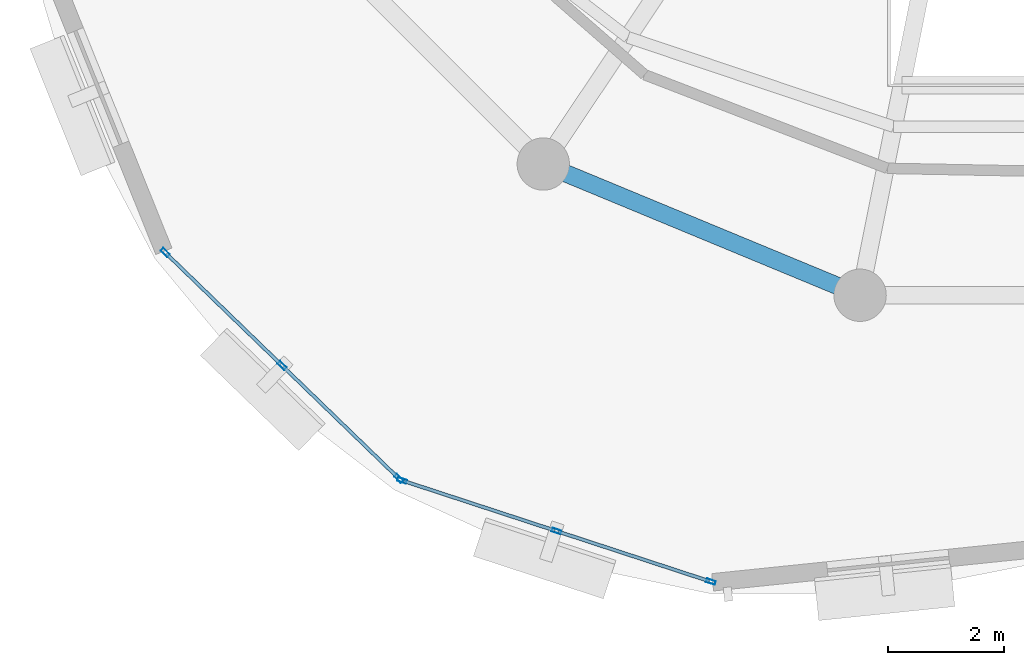
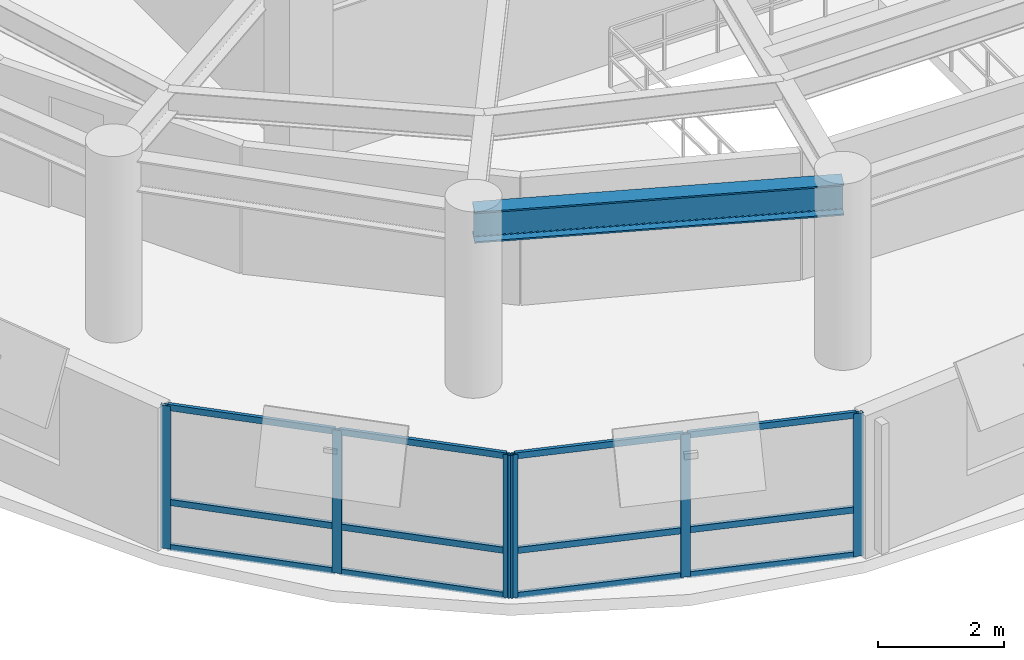
# One storey, part 2 of 11: 18 members, 1 beam, 2 elements without a shape of their own.
"""IFC4 building model written with IfcOpenShell, lengths in metres."""

from ifc_helpers import new_model, si_unit, direction, frame, origin, origin_2d, place, context, subcontext, project, spatial, hollow_rectangle, i_section, extrude, material, layer, layer_set, material_profile, profile_set, type_object, element, aggregate, save


model = new_model("IFC4")

# Units and contexts
model_context = context("Model", 3, precision=1e-05, world=origin(), true_north=direction((0.0, 1.0)))
body_context = subcontext(model_context, "Body", "Model", "MODEL_VIEW")
ifc_project = project(units=[si_unit("LENGTHUNIT", "METRE"), si_unit("AREAUNIT", "SQUARE_METRE"), si_unit("VOLUMEUNIT", "CUBIC_METRE"), si_unit("PLANEANGLEUNIT", "RADIAN"), si_unit("MASSUNIT", "GRAM", prefix="KILO"), si_unit("THERMODYNAMICTEMPERATUREUNIT", "KELVIN"), si_unit("POWERUNIT", "WATT")], contexts=[model_context])

# Site, building, storey
site_placement = place(None, origin())
site = spatial("IfcSite", under=ifc_project, at=site_placement, CompositionType="ELEMENT")
building_placement = place(site_placement, origin())
building = spatial("IfcBuilding", under=site, at=building_placement, Name="Ocrelia Relay Tower", CompositionType="ELEMENT")
storey_placement = place(building_placement, frame((0.0, 0.0, 273.60009765625)))
storey = spatial("IfcBuildingStorey", under=building, at=storey_placement, Name="L68", CompositionType="ELEMENT", Elevation=273.60009765625)

# Beam
ifc_material_1 = material(Name="Steel S355", Category="steel")
ifc_material_profile_1 = material_profile(ifc_material_1, i_section(OverallWidth=0.300048828125, OverallDepth=0.60009765625, WebThickness=0.015380859375, FlangeThickness=0.030029296875, FilletRadius=0.027099609375, at=origin_2d()), Name="HEB 600")
ifc_profile_set_1 = profile_set([ifc_material_profile_1], Name="Steel S355")
beam_type = type_object("IfcBeamType", Name="BM-HEB600", PredefinedType="BEAM", material=ifc_profile_set_1)
beam_placement = place(storey_placement, frame((25.61083984375, 13.44482421875, 3.079833984375), z_axis=(0.923884009374, -0.382672624084, 0.0), x_axis=(0.382672624084, 0.923884009374, 0.0)))
element("IfcBeam", 1, at=beam_placement, inside=storey, type_object=beam_type, Name="L68 Perimeter Spandrel Beam S11", PredefinedType="BEAM", context=body_context, shape_type="SweptSolid", body=[
    extrude(i_section(OverallWidth=0.300048828125, OverallDepth=0.60009765625, WebThickness=0.015380859375, FlangeThickness=0.030029296875, FilletRadius=0.027099609375, at=origin_2d()), origin(), (0.0, 0.0, 1.0), 5.891845703125),
])

# Curtain wall, members
ifc_material_2 = material(Name="Aluminium and solar-control low-E glass", Category="aluminium")
ifc_layer = layer(ifc_material_2, 0.179931640625, Name="Aluminium and solar-control low-E glass")
ifc_layer_set = layer_set([ifc_layer], Name="Aluminium and solar-control low-E glass")
curtain_wall_type = type_object("IfcCurtainWallType", Name="CW-SYS-Z4-EXEC", PredefinedType="NOTDEFINED", material=ifc_layer_set)
curtain_wall_1_placement = place(storey_placement, origin())
curtain_wall_1 = element("IfcCurtainWall", 2, at=curtain_wall_1_placement, inside=storey, type_object=curtain_wall_type, Name="L68 Elliptical Tower Curtain Wall Bay 09", PredefinedType="NOTDEFINED")
ifc_material_3 = material(Name="Anodised bronze aluminium", Category="aluminium")
ifc_material_profile_2 = material_profile(ifc_material_3, hollow_rectangle(XDim=0.06494140625, YDim=0.159912109375, WallThickness=0.0048828125, at=origin_2d()), Name="CW-MUL-160x65")
ifc_profile_set_2 = profile_set([ifc_material_profile_2], Name="Anodised bronze aluminium")
member_type_1 = type_object("IfcMemberType", Name="CW-SYS-Z4-EXEC-MUL", PredefinedType="MULLION", material=ifc_profile_set_2)
member_1_placement = place(storey_placement, frame((19.115234375, 11.924560546875, 0.0), z_axis=(0.0, 0.0, 1.0), x_axis=(0.695311454321, 0.718708551146, 0.0)))
member_1 = element("IfcMember", 3, at=member_1_placement, type_object=member_type_1, Name="CW-Z4 mullion 1", PredefinedType="MULLION", context=body_context, shape_type="SweptSolid", body=[
    extrude(hollow_rectangle(XDim=0.06494140625, YDim=0.159912109375, WallThickness=0.0048828125, at=origin_2d()), origin(), (0.0, 0.0, 1.0), 2.760009765625),
])
member_2_placement = place(storey_placement, frame((21.122314453125, 9.982666015625, 0.0), z_axis=(0.0, 0.0, 1.0), x_axis=(0.695311454321, 0.718708551146, 0.0)))
member_2 = element("IfcMember", 4, at=member_2_placement, type_object=member_type_1, Name="CW-Z4 mullion 2", PredefinedType="MULLION", context=body_context, shape_type="SweptSolid", body=[
    extrude(hollow_rectangle(XDim=0.06494140625, YDim=0.159912109375, WallThickness=0.0048828125, at=origin_2d()), origin(), (0.0, 0.0, 1.0), 2.760009765625),
])
member_3_placement = place(storey_placement, frame((23.12939453125, 8.041015625, 0.0), z_axis=(0.0, 0.0, 1.0), x_axis=(0.695311454321, 0.718708551146, 0.0)))
member_3 = element("IfcMember", 5, at=member_3_placement, type_object=member_type_1, Name="CW-Z4 mullion 3", PredefinedType="MULLION", context=body_context, shape_type="SweptSolid", body=[
    extrude(hollow_rectangle(XDim=0.06494140625, YDim=0.159912109375, WallThickness=0.0048828125, at=origin_2d()), origin(), (0.0, 0.0, 1.0), 2.760009765625),
])

curtain_wall_2_placement = place(storey_placement, origin())
curtain_wall_2 = element("IfcCurtainWall", 6, at=curtain_wall_2_placement, inside=storey, type_object=curtain_wall_type, Name="L68 Elliptical Tower Curtain Wall Bay 10", PredefinedType="NOTDEFINED")
member_4_placement = place(storey_placement, frame((23.18359375, 8.00830078125, 0.0), z_axis=(0.0, 0.0, 1.0), x_axis=(0.311471813957, 0.950255391519, 0.0)))
member_4 = element("IfcMember", 7, at=member_4_placement, type_object=member_type_1, Name="CW-Z4 mullion 1", PredefinedType="MULLION", context=body_context, shape_type="SweptSolid", body=[
    extrude(hollow_rectangle(XDim=0.06494140625, YDim=0.159912109375, WallThickness=0.0048828125, at=origin_2d()), origin(), (0.0, 0.0, 1.0), 2.760009765625),
])
member_5_placement = place(storey_placement, frame((25.83740234375, 7.138427734375, 0.0), z_axis=(0.0, 0.0, 1.0), x_axis=(0.311471813957, 0.950255391519, 0.0)))
member_5 = element("IfcMember", 8, at=member_5_placement, type_object=member_type_1, Name="CW-Z4 mullion 2", PredefinedType="MULLION", context=body_context, shape_type="SweptSolid", body=[
    extrude(hollow_rectangle(XDim=0.06494140625, YDim=0.159912109375, WallThickness=0.0048828125, at=origin_2d()), origin(), (0.0, 0.0, 1.0), 2.760009765625),
])
member_6_placement = place(storey_placement, frame((28.4912109375, 6.2685546875, 0.0), z_axis=(0.0, 0.0, 1.0), x_axis=(0.311471813957, 0.950255391519, 0.0)))
member_6 = element("IfcMember", 9, at=member_6_placement, type_object=member_type_1, Name="CW-Z4 mullion 3", PredefinedType="MULLION", context=body_context, shape_type="SweptSolid", body=[
    extrude(hollow_rectangle(XDim=0.06494140625, YDim=0.159912109375, WallThickness=0.0048828125, at=origin_2d()), origin(), (0.0, 0.0, 1.0), 2.760009765625),
])

# Member
ifc_material_profile_3 = material_profile(ifc_material_3, hollow_rectangle(XDim=0.06005859375, YDim=0.1201171875, WallThickness=0.0048828125, at=origin_2d()), Name="CW-TRN-120x60")
ifc_profile_set_3 = profile_set([ifc_material_profile_3], Name="Anodised bronze aluminium")
member_type_2 = type_object("IfcMemberType", Name="CW-SYS-Z4-EXEC-TRN", PredefinedType="USERDEFINED", material=ifc_profile_set_3)
member_7_placement = place(storey_placement, frame((19.138671875, 11.90185546875, 0.02978515625), z_axis=(0.71869159969, -0.695328975762, 0.0), x_axis=(0.695328975762, 0.71869159969, 0.0)))
member_7 = element("IfcMember", 10, at=member_7_placement, type_object=member_type_2, Name="CW-Z4 transom 1.1", ObjectType="TRANSOM", PredefinedType="USERDEFINED", context=body_context, shape_type="SweptSolid", body=[
    extrude(hollow_rectangle(XDim=0.06005859375, YDim=0.1201171875, WallThickness=0.0048828125, at=origin_2d()), origin(), (0.0, 0.0, 1.0), 2.7275390625),
])

member_8_placement = place(storey_placement, frame((19.138671875, 11.90185546875, 0.89990234375), z_axis=(0.71869159969, -0.695328975762, 0.0), x_axis=(0.695328975762, 0.71869159969, 0.0)))
member_8 = element("IfcMember", 11, at=member_8_placement, type_object=member_type_2, Name="CW-Z4 transom 1.2", ObjectType="TRANSOM", PredefinedType="USERDEFINED", context=body_context, shape_type="SweptSolid", body=[
    extrude(hollow_rectangle(XDim=0.06005859375, YDim=0.1201171875, WallThickness=0.0048828125, at=origin_2d()), origin(), (0.0, 0.0, 1.0), 2.7275390625),
])

member_9_placement = place(storey_placement, frame((19.138671875, 11.90185546875, 2.72998046875), z_axis=(0.71869159969, -0.695328975762, 0.0), x_axis=(0.695328975762, 0.71869159969, 0.0)))
member_9 = element("IfcMember", 12, at=member_9_placement, type_object=member_type_2, Name="CW-Z4 transom 1.3", ObjectType="TRANSOM", PredefinedType="USERDEFINED", context=body_context, shape_type="SweptSolid", body=[
    extrude(hollow_rectangle(XDim=0.06005859375, YDim=0.1201171875, WallThickness=0.0048828125, at=origin_2d()), origin(), (0.0, 0.0, 1.0), 2.7275390625),
])

member_10_placement = place(storey_placement, frame((21.145751953125, 9.960205078125, 0.02978515625), z_axis=(0.718690145777, -0.695330478523, 0.0), x_axis=(0.695330478523, 0.718690145777, 0.0)))
member_10 = element("IfcMember", 13, at=member_10_placement, type_object=member_type_2, Name="CW-Z4 transom 2.1", ObjectType="TRANSOM", PredefinedType="USERDEFINED", context=body_context, shape_type="SweptSolid", body=[
    extrude(hollow_rectangle(XDim=0.06005859375, YDim=0.1201171875, WallThickness=0.0048828125, at=origin_2d()), origin(), (0.0, 0.0, 1.0), 2.727783203125),
])

member_11_placement = place(storey_placement, frame((21.145751953125, 9.960205078125, 0.89990234375), z_axis=(0.718690145777, -0.695330478523, 0.0), x_axis=(0.695330478523, 0.718690145777, 0.0)))
member_11 = element("IfcMember", 14, at=member_11_placement, type_object=member_type_2, Name="CW-Z4 transom 2.2", ObjectType="TRANSOM", PredefinedType="USERDEFINED", context=body_context, shape_type="SweptSolid", body=[
    extrude(hollow_rectangle(XDim=0.06005859375, YDim=0.1201171875, WallThickness=0.0048828125, at=origin_2d()), origin(), (0.0, 0.0, 1.0), 2.727783203125),
])

member_12_placement = place(storey_placement, frame((21.145751953125, 9.960205078125, 2.72998046875), z_axis=(0.718690145777, -0.695330478523, 0.0), x_axis=(0.695330478523, 0.718690145777, 0.0)))
member_12 = element("IfcMember", 15, at=member_12_placement, type_object=member_type_2, Name="CW-Z4 transom 2.3", ObjectType="TRANSOM", PredefinedType="USERDEFINED", context=body_context, shape_type="SweptSolid", body=[
    extrude(hollow_rectangle(XDim=0.06005859375, YDim=0.1201171875, WallThickness=0.0048828125, at=origin_2d()), origin(), (0.0, 0.0, 1.0), 2.727783203125),
])

aggregate(curtain_wall_1, [member_1, member_2, member_3, member_7, member_8, member_9, member_10, member_11, member_12])

member_13_placement = place(storey_placement, frame((23.214599609375, 7.998046875, 0.02978515625), z_axis=(0.950273408499, -0.311416841387, 0.0), x_axis=(0.311416841387, 0.950273408499, 0.0)))
member_13 = element("IfcMember", 16, at=member_13_placement, type_object=member_type_2, Name="CW-Z4 transom 1.1", ObjectType="TRANSOM", PredefinedType="USERDEFINED", context=body_context, shape_type="SweptSolid", body=[
    extrude(hollow_rectangle(XDim=0.06005859375, YDim=0.1201171875, WallThickness=0.0048828125, at=origin_2d()), origin(), (0.0, 0.0, 1.0), 2.7275390625),
])

member_14_placement = place(storey_placement, frame((23.214599609375, 7.998046875, 0.89990234375), z_axis=(0.950273408499, -0.311416841387, 0.0), x_axis=(0.311416841387, 0.950273408499, 0.0)))
member_14 = element("IfcMember", 17, at=member_14_placement, type_object=member_type_2, Name="CW-Z4 transom 1.2", ObjectType="TRANSOM", PredefinedType="USERDEFINED", context=body_context, shape_type="SweptSolid", body=[
    extrude(hollow_rectangle(XDim=0.06005859375, YDim=0.1201171875, WallThickness=0.0048828125, at=origin_2d()), origin(), (0.0, 0.0, 1.0), 2.7275390625),
])

member_15_placement = place(storey_placement, frame((23.214599609375, 7.998046875, 2.72998046875), z_axis=(0.950273408499, -0.311416841387, 0.0), x_axis=(0.311416841387, 0.950273408499, 0.0)))
member_15 = element("IfcMember", 18, at=member_15_placement, type_object=member_type_2, Name="CW-Z4 transom 1.3", ObjectType="TRANSOM", PredefinedType="USERDEFINED", context=body_context, shape_type="SweptSolid", body=[
    extrude(hollow_rectangle(XDim=0.06005859375, YDim=0.1201171875, WallThickness=0.0048828125, at=origin_2d()), origin(), (0.0, 0.0, 1.0), 2.7275390625),
])

member_16_placement = place(storey_placement, frame((25.8681640625, 7.12841796875, 0.02978515625), z_axis=(0.950255600219, -0.311471177241, 0.0), x_axis=(0.311471177241, 0.950255600219, 0.0)))
member_16 = element("IfcMember", 19, at=member_16_placement, type_object=member_type_2, Name="CW-Z4 transom 2.1", ObjectType="TRANSOM", PredefinedType="USERDEFINED", context=body_context, shape_type="SweptSolid", body=[
    extrude(hollow_rectangle(XDim=0.06005859375, YDim=0.1201171875, WallThickness=0.0048828125, at=origin_2d()), origin(), (0.0, 0.0, 1.0), 2.727783203125),
])

member_17_placement = place(storey_placement, frame((25.8681640625, 7.12841796875, 0.89990234375), z_axis=(0.950255600219, -0.311471177241, 0.0), x_axis=(0.311471177241, 0.950255600219, 0.0)))
member_17 = element("IfcMember", 20, at=member_17_placement, type_object=member_type_2, Name="CW-Z4 transom 2.2", ObjectType="TRANSOM", PredefinedType="USERDEFINED", context=body_context, shape_type="SweptSolid", body=[
    extrude(hollow_rectangle(XDim=0.06005859375, YDim=0.1201171875, WallThickness=0.0048828125, at=origin_2d()), origin(), (0.0, 0.0, 1.0), 2.727783203125),
])

member_18_placement = place(storey_placement, frame((25.8681640625, 7.12841796875, 2.72998046875), z_axis=(0.950255600219, -0.311471177241, 0.0), x_axis=(0.311471177241, 0.950255600219, 0.0)))
member_18 = element("IfcMember", 21, at=member_18_placement, type_object=member_type_2, Name="CW-Z4 transom 2.3", ObjectType="TRANSOM", PredefinedType="USERDEFINED", context=body_context, shape_type="SweptSolid", body=[
    extrude(hollow_rectangle(XDim=0.06005859375, YDim=0.1201171875, WallThickness=0.0048828125, at=origin_2d()), origin(), (0.0, 0.0, 1.0), 2.727783203125),
])

aggregate(curtain_wall_2, [member_4, member_5, member_6, member_13, member_14, member_15, member_16, member_17, member_18])

save(model, "model.ifc")
